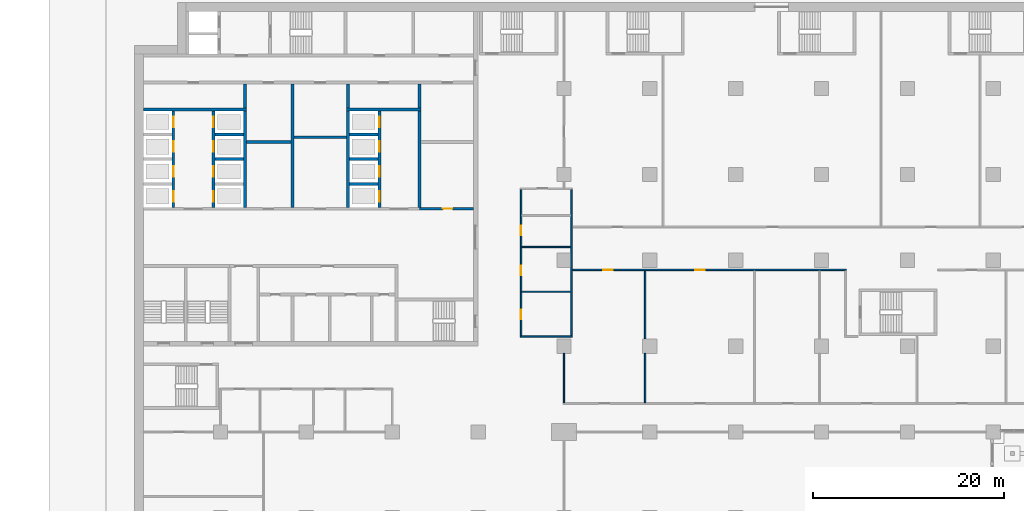
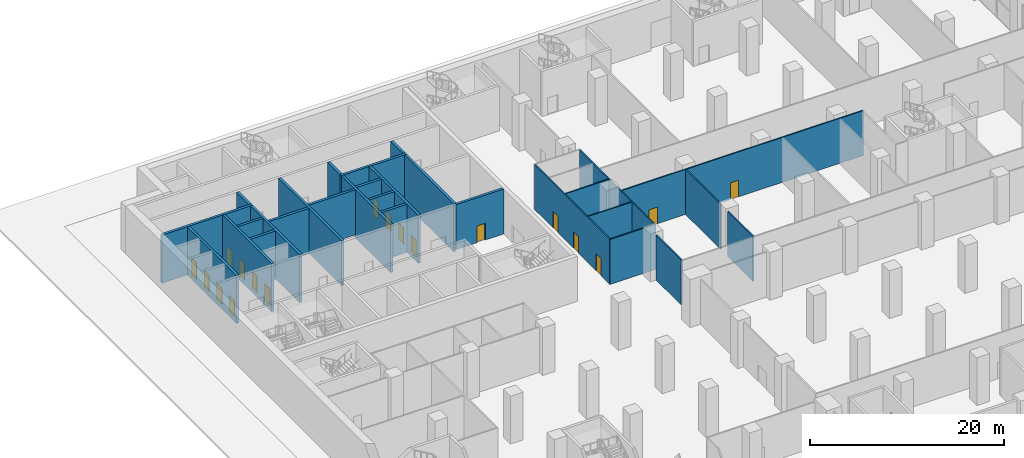
# One storey, part 19 of 47: 29 walls, 18 doors, 18 openings.
"""IFC4 building model written with IfcOpenShell, lengths in metres."""

from ifc_helpers import new_model, si_unit, direction, frame, frame_2d, origin, place, context, subcontext, project, spatial, rectangle, extrude, material, layer, layer_set, type_object, element, fill, save


model = new_model("IFC4")

# Units and contexts
model_context = context("Model", 3, precision=1e-05, world=origin(), true_north=direction((0.0, 1.0)))
body_context = subcontext(model_context, "Body", "Model", "MODEL_VIEW")
ifc_project = project(units=[si_unit("LENGTHUNIT", "METRE"), si_unit("AREAUNIT", "SQUARE_METRE"), si_unit("VOLUMEUNIT", "CUBIC_METRE"), si_unit("PLANEANGLEUNIT", "RADIAN"), si_unit("MASSUNIT", "GRAM", prefix="KILO")], contexts=[model_context])

# Site, building, storey
site_placement = place(None, origin())
site = spatial("IfcSite", under=ifc_project, at=site_placement, CompositionType="ELEMENT")
building_placement = place(site_placement, origin())
building = spatial("IfcBuilding", under=site, at=building_placement, Name="Hunhe Ridgeline Campus", CompositionType="ELEMENT")
storey_placement = place(building_placement, origin())
storey = spatial("IfcBuildingStorey", under=building, at=storey_placement, Name="L00", CompositionType="ELEMENT", Elevation=0.0)

# Walls
ifc_material_1 = material(Name="Plastered blockwork", Category="masonry")
ifc_layer_1 = layer(ifc_material_1, 0.14990234375)
ifc_layer_set_1 = layer_set([ifc_layer_1], Name="Blockwork partition 150")
wall_type_1 = type_object("IfcWallType", Name="Blockwork partition 150", PredefinedType="PARTITIONING", material=ifc_layer_set_1)
wall_1_placement = place(storey_placement, frame((45.0, 57.074951171875, 0.0), z_axis=(0.0, 0.0, 1.0), x_axis=(0.0, 1.0, 0.0)))
element("IfcWall", 1, at=wall_1_placement, inside=storey, type_object=wall_type_1, Name="L00 partition", PredefinedType="PARTITIONING", context=body_context, shape_type="SweptSolid", body=[
    extrude(rectangle(XDim=5.175048828125, YDim=0.14990234375, at=frame_2d((2.58740234375, 0.0))), origin(), (0.0, 0.0, 1.0), 5.64990234375),
])
wall_2_placement = place(storey_placement, frame((40.574951171875, 68.697021484375, 0.0), z_axis=(0.0, 0.0, 1.0), x_axis=(1.0, 0.0, 0.0)))
element("IfcWall", 2, at=wall_2_placement, inside=storey, type_object=wall_type_1, Name="L00 partition", PredefinedType="PARTITIONING", context=body_context, shape_type="SweptSolid", body=[
    extrude(rectangle(XDim=5.150146484375, YDim=0.14990234375, at=frame_2d((2.5751953125, 0.0))), origin(), (0.0, 0.0, 1.0), 5.64990234375),
])
wall_3_placement = place(storey_placement, frame((45.875, 64.0, 0.0), z_axis=(0.0, 0.0, 1.0), x_axis=(-1.0, 0.0, 0.0)))
element("IfcWall", 3, at=wall_3_placement, inside=storey, type_object=wall_type_1, Name="L00 partition", PredefinedType="PARTITIONING", context=body_context, shape_type="SweptSolid", body=[
    extrude(rectangle(XDim=5.449951171875, YDim=0.14990234375, at=frame_2d((2.72509765625, 0.0))), origin(), (0.0, 0.0, 1.0), 5.64990234375),
])
wall_4_placement = place(storey_placement, frame((45.800048828125, 79.425048828125, 0.0), z_axis=(0.0, 0.0, 1.0), x_axis=(0.0, -1.0, 0.0)))
element("IfcWall", 4, at=wall_4_placement, inside=storey, type_object=wall_type_1, Name="L00 partition", PredefinedType="PARTITIONING", context=body_context, shape_type="SweptSolid", body=[
    extrude(rectangle(XDim=15.35009765625, YDim=0.14990234375, at=frame_2d((7.675048828125, 0.0))), origin(), (0.0, 0.0, 1.0), 5.64990234375),
])

# Wall, openings, doors
wall_5_placement = place(storey_placement, frame((40.5, 64.074951171875, 0.0), z_axis=(0.0, 0.0, 1.0), x_axis=(0.0, 1.0, 0.0)))
wall_5 = element("IfcWall", 5, at=wall_5_placement, inside=storey, type_object=wall_type_1, Name="L00 partition", PredefinedType="PARTITIONING", context=body_context, shape_type="SweptSolid", body=[
    extrude(rectangle(XDim=15.35009765625, YDim=0.14990234375, at=frame_2d((7.675048828125, 0.0))), origin(), (0.0, 0.0, 1.0), 5.64990234375),
])
opening_1_placement = place(wall_5_placement, frame((1.75, 0.0, 0.0)))
opening_1 = element("IfcOpeningElement", 6, at=opening_1_placement, cuts=wall_5, Name="Opening PD153", PredefinedType="OPENING", context=body_context, shape_type="SweptSolid", body=[
    extrude(rectangle(XDim=1.0, YDim=2.10009765625, at=frame_2d((0.5, 1.050048828125))), frame((0.0, 0.074951171875, 0.0), z_axis=(0.0, -1.0, 0.0), x_axis=(1.0, 0.0, 0.0)), (0.0, 0.0, 1.0), 0.14990234375),
])
opening_2_placement = place(wall_5_placement, frame((6.3720703125, 0.0, 0.0)))
opening_2 = element("IfcOpeningElement", 7, at=opening_2_placement, cuts=wall_5, Name="Opening PD154", PredefinedType="OPENING", context=body_context, shape_type="SweptSolid", body=[
    extrude(rectangle(XDim=1.0, YDim=2.10009765625, at=frame_2d((0.5, 1.050048828125))), frame((0.0, 0.074951171875, 0.0), z_axis=(0.0, -1.0, 0.0), x_axis=(1.0, 0.0, 0.0)), (0.0, 0.0, 1.0), 0.14990234375),
])
opening_3_placement = place(wall_5_placement, frame((10.569091796875, 0.0, 0.0)))
opening_3 = element("IfcOpeningElement", 8, at=opening_3_placement, cuts=wall_5, Name="Opening PD155", PredefinedType="OPENING", context=body_context, shape_type="SweptSolid", body=[
    extrude(rectangle(XDim=1.0, YDim=2.10009765625, at=frame_2d((0.5, 1.050048828125))), frame((0.0, 0.074951171875, 0.0), z_axis=(0.0, -1.0, 0.0), x_axis=(1.0, 0.0, 0.0)), (0.0, 0.0, 1.0), 0.14990234375),
])
ifc_material_2 = material(Name="Timber", Category="wood")
door_type_1 = type_object("IfcDoorType", Name="Podium accessible WC door 1000x2100", OperationType="NOTDEFINED", PredefinedType="DOOR", material=ifc_material_2)
door_1_placement = place(opening_3_placement, origin())
door_1 = element("IfcDoor", 9, at=door_1_placement, inside=storey, type_object=door_type_1, Name="Accessible WC door", OperationType="SINGLE_SWING_RIGHT", OverallHeight=2.10009765625, OverallWidth=1.0, PredefinedType="DOOR", context=body_context, shape_type="SweptSolid", body=[
    extrude(rectangle(XDim=1.0, YDim=2.10009765625, at=frame_2d((0.5, 1.050048828125))), frame((0.0, 0.02490234375, 0.0), z_axis=(0.0, -1.0, 0.0), x_axis=(1.0, 0.0, 0.0)), (0.0, 0.0, 1.0), 0.050048828125),
])
fill(opening_3, door_1)
door_type_2 = type_object("IfcDoorType", Name="Podium timber door 1000x2100", OperationType="NOTDEFINED", PredefinedType="DOOR", material=ifc_material_2)
door_2_placement = place(opening_1_placement, origin())
door_2 = element("IfcDoor", 10, at=door_2_placement, inside=storey, type_object=door_type_2, Name="Men WC door", OperationType="SINGLE_SWING_LEFT", OverallHeight=2.10009765625, OverallWidth=1.0, PredefinedType="DOOR", context=body_context, shape_type="SweptSolid", body=[
    extrude(rectangle(XDim=1.0, YDim=2.10009765625, at=frame_2d((0.5, 1.050048828125))), frame((0.0, 0.02490234375, 0.0), z_axis=(0.0, -1.0, 0.0), x_axis=(1.0, 0.0, 0.0)), (0.0, 0.0, 1.0), 0.050048828125),
])
fill(opening_1, door_2)
door_3_placement = place(opening_2_placement, origin())
door_3 = element("IfcDoor", 11, at=door_3_placement, inside=storey, type_object=door_type_2, Name="Women WC door", OperationType="SINGLE_SWING_LEFT", OverallHeight=2.10009765625, OverallWidth=1.0, PredefinedType="DOOR", context=body_context, shape_type="SweptSolid", body=[
    extrude(rectangle(XDim=1.0, YDim=2.10009765625, at=frame_2d((0.5, 1.050048828125))), frame((0.0, 0.02490234375, 0.0), z_axis=(0.0, -1.0, 0.0), x_axis=(1.0, 0.0, 0.0)), (0.0, 0.0, 1.0), 0.050048828125),
])
fill(opening_2, door_3)

# Walls
wall_6_placement = place(storey_placement, frame((40.574951171875, 73.39404296875, 0.0), z_axis=(0.0, 0.0, 1.0), x_axis=(1.0, 0.0, 0.0)))
element("IfcWall", 12, at=wall_6_placement, inside=storey, type_object=wall_type_1, Name="L00 partition", PredefinedType="PARTITIONING", context=body_context, shape_type="SweptSolid", body=[
    extrude(rectangle(XDim=5.150146484375, YDim=0.14990234375, at=frame_2d((2.5751953125, 0.0))), origin(), (0.0, 0.0, 1.0), 5.64990234375),
])
wall_7_placement = place(storey_placement, frame((53.50390625, 57.074951171875, 0.0), z_axis=(0.0, 0.0, 1.0), x_axis=(0.0, 1.0, 0.0)))
element("IfcWall", 13, at=wall_7_placement, inside=storey, type_object=wall_type_1, Name="L00 partition", PredefinedType="PARTITIONING", context=body_context, shape_type="SweptSolid", body=[
    extrude(rectangle(XDim=5.175048828125, YDim=0.14990234375, at=frame_2d((2.58740234375, 0.0))), origin(), (0.0, 0.0, 1.0), 5.64990234375),
])
wall_8_placement = place(storey_placement, frame((53.50390625, 63.75, 0.0), z_axis=(0.0, 0.0, 1.0), x_axis=(0.0, 1.0, 0.0)))
element("IfcWall", 14, at=wall_8_placement, inside=storey, type_object=wall_type_1, Name="L00 partition", PredefinedType="PARTITIONING", context=body_context, shape_type="SweptSolid", body=[
    extrude(rectangle(XDim=7.175048828125, YDim=0.14990234375, at=frame_2d((3.58740234375, 0.0))), origin(), (0.0, 0.0, 1.0), 5.64990234375),
])

# Wall, openings, doors
wall_9_placement = place(storey_placement, frame((45.875, 71.0, 0.0), z_axis=(0.0, 0.0, 1.0), x_axis=(1.0, 0.0, 0.0)))
wall_9 = element("IfcWall", 15, at=wall_9_placement, inside=storey, type_object=wall_type_1, Name="L00 partition", PredefinedType="PARTITIONING", context=body_context, shape_type="SweptSolid", body=[
    extrude(rectangle(XDim=28.699951171875, YDim=0.14990234375, at=frame_2d((14.35009765625, 0.0))), origin(), (0.0, 0.0, 1.0), 5.64990234375),
])
opening_4_placement = place(wall_9_placement, frame((3.25, 0.0, 0.0)))
opening_4 = element("IfcOpeningElement", 16, at=opening_4_placement, cuts=wall_9, Name="Opening PD158", PredefinedType="OPENING", context=body_context, shape_type="SweptSolid", body=[
    extrude(rectangle(XDim=1.0, YDim=2.10009765625, at=frame_2d((0.5, 1.050048828125))), frame((0.0, 0.074951171875, 0.0), z_axis=(0.0, -1.0, 0.0), x_axis=(1.0, 0.0, 0.0)), (0.0, 0.0, 1.0), 0.14990234375),
])
opening_5_placement = place(wall_9_placement, frame((12.87890625, 0.0, 0.0)))
opening_5 = element("IfcOpeningElement", 17, at=opening_5_placement, cuts=wall_9, Name="Opening PD160", PredefinedType="OPENING", context=body_context, shape_type="SweptSolid", body=[
    extrude(rectangle(XDim=1.0, YDim=2.10009765625, at=frame_2d((0.5, 1.050048828125))), frame((0.0, 0.074951171875, 0.0), z_axis=(0.0, -1.0, 0.0), x_axis=(1.0, 0.0, 0.0)), (0.0, 0.0, 1.0), 0.14990234375),
])
door_4_placement = place(opening_4_placement, origin())
door_4 = element("IfcDoor", 18, at=door_4_placement, inside=storey, type_object=door_type_2, Name="Student Services Desk door", OperationType="SINGLE_SWING_LEFT", OverallHeight=2.10009765625, OverallWidth=1.0, PredefinedType="DOOR", context=body_context, shape_type="SweptSolid", body=[
    extrude(rectangle(XDim=1.0, YDim=2.10009765625, at=frame_2d((0.5, 1.050048828125))), frame((0.0, 0.02490234375, 0.0), z_axis=(0.0, -1.0, 0.0), x_axis=(1.0, 0.0, 0.0)), (0.0, 0.0, 1.0), 0.050048828125),
])
fill(opening_4, door_4)
door_5_placement = place(opening_5_placement, origin())
door_5 = element("IfcDoor", 19, at=door_5_placement, inside=storey, type_object=door_type_2, Name="Admissions Office door", OperationType="SINGLE_SWING_LEFT", OverallHeight=2.10009765625, OverallWidth=1.0, PredefinedType="DOOR", context=body_context, shape_type="SweptSolid", body=[
    extrude(rectangle(XDim=1.0, YDim=2.10009765625, at=frame_2d((0.5, 1.050048828125))), frame((0.0, 0.02490234375, 0.0), z_axis=(0.0, -1.0, 0.0), x_axis=(1.0, 0.0, 0.0)), (0.0, 0.0, 1.0), 0.050048828125),
])
fill(opening_5, door_5)

# Wall, opening, door
ifc_material_3 = material(Name="Masonry concrete blockwork", Category="masonry")
ifc_layer_2 = layer(ifc_material_3, 0.300048828125)
ifc_layer_set_2 = layer_set([ifc_layer_2], Name="Core room partition 300 concrete block")
wall_type_2 = type_object("IfcWallType", Name="Core room partition 300 concrete block", PredefinedType="PARTITIONING", material=ifc_layer_set_2)
wall_10_placement = place(storey_placement, frame((29.85009765625, 77.39990234375, 0.0), z_axis=(0.0, 0.0, 1.0), x_axis=(1.0, 0.0, 0.0)))
wall_10 = element("IfcWall", 20, at=wall_10_placement, inside=storey, type_object=wall_type_2, Name="L00 core partition 15", PredefinedType="PARTITIONING", context=body_context, shape_type="SweptSolid", body=[
    extrude(rectangle(XDim=5.64990234375, YDim=0.300048828125, at=frame_2d((2.824951171875, 0.0))), origin(), (0.0, 0.0, 1.0), 5.64990234375),
])
opening_6_placement = place(wall_10_placement, frame((2.449951171875, 0.0, 0.0)))
opening_6 = element("IfcOpeningElement", 21, at=opening_6_placement, cuts=wall_10, Name="Opening CD32", PredefinedType="OPENING", context=body_context, shape_type="SweptSolid", body=[
    extrude(rectangle(XDim=1.0, YDim=2.10009765625, at=frame_2d((0.5, 1.050048828125))), frame((0.0, 0.14990234375, 0.0), z_axis=(0.0, -1.0, 0.0), x_axis=(1.0, 0.0, 0.0)), (0.0, 0.0, 1.0), 0.300048828125),
])
ifc_material_4 = material(Name="Solid core timber door leaf", Category="wood")
door_type_3 = type_object("IfcDoorType", Name="Timber door 1000x2100", OperationType="SINGLE_SWING_LEFT", PredefinedType="DOOR", material=ifc_material_4)
door_6_placement = place(opening_6_placement, origin())
door_6 = element("IfcDoor", 22, at=door_6_placement, inside=storey, type_object=door_type_3, Name="L00 door ES0", OperationType="SINGLE_SWING_RIGHT", OverallHeight=2.10009765625, OverallWidth=1.0, PredefinedType="DOOR", context=body_context, shape_type="SweptSolid", body=[
    extrude(rectangle(XDim=1.0, YDim=2.10009765625, at=frame_2d((0.5, 1.050048828125))), frame((0.0, 0.02490234375, 0.0), z_axis=(0.0, -1.0, 0.0), x_axis=(1.0, 0.0, 0.0)), (0.0, 0.0, 1.0), 0.050048828125),
])
fill(opening_6, door_6)

# Walls
wall_11_placement = place(storey_placement, frame((11.699951171875, 84.39990234375, 0.0), z_axis=(0.0, 0.0, 1.0), x_axis=(1.0, 0.0, 0.0)))
element("IfcWall", 23, at=wall_11_placement, inside=storey, type_object=wall_type_2, Name="L00 core partition 22", PredefinedType="PARTITIONING", context=body_context, shape_type="SweptSolid", body=[
    extrude(rectangle(XDim=4.699951171875, YDim=0.300048828125, at=frame_2d((2.35009765625, 0.0))), origin(), (0.0, 0.0, 1.0), 5.64990234375),
])
wall_12_placement = place(storey_placement, frame((16.699951171875, 84.89990234375, 0.0), z_axis=(0.0, 0.0, 1.0), x_axis=(1.0, 0.0, 0.0)))
element("IfcWall", 24, at=wall_12_placement, inside=storey, type_object=wall_type_2, Name="L00 core partition 24", PredefinedType="PARTITIONING", context=body_context, shape_type="SweptSolid", body=[
    extrude(rectangle(XDim=5.5, YDim=0.300048828125, at=frame_2d((2.75, 0.0))), origin(), (0.0, 0.0, 1.0), 5.64990234375),
])
wall_13_placement = place(storey_placement, frame((11.550048828125, 87.949951171875, 0.0), z_axis=(0.0, 0.0, 1.0), x_axis=(0.0, 1.0, 0.0)))
element("IfcWall", 25, at=wall_13_placement, inside=storey, type_object=wall_type_2, Name="L00 core partition 46", PredefinedType="PARTITIONING", context=body_context, shape_type="SweptSolid", body=[
    extrude(rectangle(XDim=2.550048828125, YDim=0.300048828125, at=frame_2d((1.27490234375, 0.0))), origin(), (0.0, 0.0, 1.0), 5.64990234375),
])
wall_14_placement = place(storey_placement, frame((16.550048828125, 77.550048828125, 0.0), z_axis=(0.0, 0.0, 1.0), x_axis=(0.0, 1.0, 0.0)))
element("IfcWall", 26, at=wall_14_placement, inside=storey, type_object=wall_type_2, Name="L00 core partition 50", PredefinedType="PARTITIONING", context=body_context, shape_type="SweptSolid", body=[
    extrude(rectangle(XDim=12.949951171875, YDim=0.300048828125, at=frame_2d((6.47509765625, 0.0))), origin(), (0.0, 0.0, 1.0), 5.64990234375),
])
for number, where, z_axis, x_axis, name in (
    (27, (22.35009765625, 87.949951171875, 0.0), (0.0, 0.0, 1.0), (0.0, 1.0, 0.0), "L00 core partition 55"),
    (28, (29.85009765625, 87.949951171875, 0.0), (0.0, 0.0, 1.0), (0.0, 1.0, 0.0), "L00 core partition 63"),
):
    element("IfcWall", number, at=place(storey_placement, frame(where, z_axis=z_axis, x_axis=x_axis)), inside=storey, type_object=wall_type_2, Name=name, PredefinedType="PARTITIONING", context=body_context, shape_type="SweptSolid", body=[
        extrude(rectangle(XDim=2.550048828125, YDim=0.300048828125, at=frame_2d((1.27490234375, 0.0))), origin(), (0.0, 0.0, 1.0), 5.64990234375),
    ])
ifc_material_5 = material(Name="Concrete C80", Category="concrete")
ifc_layer_3 = layer(ifc_material_5, 0.300048828125)
ifc_layer_set_3 = layer_set([ifc_layer_3], Name="Lobby wall 300 reinforced concrete C80")
wall_type_3 = type_object("IfcWallType", Name="Lobby wall 300 reinforced concrete C80", PredefinedType="SOLIDWALL", material=ifc_layer_set_3)
wall_15_placement = place(storey_placement, frame((29.85009765625, 77.550048828125, -0.39990234375), z_axis=(0.0, 0.0, 1.0), x_axis=(0.0, 1.0, 0.0)))
element("IfcWall", 29, at=wall_15_placement, inside=storey, type_object=wall_type_3, Name="L00 core wall 62", PredefinedType="SOLIDWALL", context=body_context, shape_type="SweptSolid", body=[
    extrude(rectangle(XDim=10.099853515625, YDim=0.300048828125, at=frame_2d((5.0498046875, 0.0))), origin(), (0.0, 0.0, 1.0), 6.0498046875),
])
ifc_layer_4 = layer(ifc_material_5, 0.300048828125)
ifc_layer_set_4 = layer_set([ifc_layer_4], Name="Shaft wall 300 reinforced concrete C80")
wall_type_4 = type_object("IfcWallType", Name="Shaft wall 300 reinforced concrete C80", PredefinedType="SOLIDWALL", material=ifc_layer_set_4)
for number, where, z_axis, x_axis, name in (
    (30, (22.5, 80.0, -0.39990234375), (0.0, 0.0, 1.0), (1.0, 0.0, 0.0), "L00 core wall 18"),
    (31, (8.39990234375, 82.60009765625, -0.39990234375), (0.0, 0.0, 1.0), (1.0, 0.0, 0.0), "L00 core wall 20"),
    (32, (22.5, 82.60009765625, -0.39990234375), (0.0, 0.0, 1.0), (1.0, 0.0, 0.0), "L00 core wall 21"),
    (33, (8.39990234375, 85.199951171875, -0.39990234375), (0.0, 0.0, 1.0), (1.0, 0.0, 0.0), "L00 core wall 26"),
    (34, (22.5, 85.199951171875, -0.39990234375), (0.0, 0.0, 1.0), (1.0, 0.0, 0.0), "L00 core wall 27"),
):
    element("IfcWall", number, at=place(storey_placement, frame(where, z_axis=z_axis, x_axis=x_axis)), inside=storey, type_object=wall_type_4, Name=name, PredefinedType="SOLIDWALL", context=body_context, shape_type="SweptSolid", body=[
        extrude(rectangle(XDim=3.0, YDim=0.300048828125, at=frame_2d((1.5, 0.0))), origin(), (0.0, 0.0, 1.0), 6.0498046875),
    ])
wall_16_placement = place(storey_placement, frame((0.89990234375, 87.800048828125, -0.39990234375), z_axis=(0.0, 0.0, 1.0), x_axis=(1.0, 0.0, 0.0)))
element("IfcWall", 35, at=wall_16_placement, inside=storey, type_object=wall_type_4, Name="L00 core wall 28", PredefinedType="SOLIDWALL", context=body_context, shape_type="SweptSolid", body=[
    extrude(rectangle(XDim=10.800048828125, YDim=0.300048828125, at=frame_2d((5.39990234375, 0.0))), origin(), (0.0, 0.0, 1.0), 6.0498046875),
])
wall_17_placement = place(storey_placement, frame((22.199951171875, 87.800048828125, -0.39990234375), z_axis=(0.0, 0.0, 1.0), x_axis=(1.0, 0.0, 0.0)))
element("IfcWall", 36, at=wall_17_placement, inside=storey, type_object=wall_type_4, Name="L00 core wall 29", PredefinedType="SOLIDWALL", context=body_context, shape_type="SweptSolid", body=[
    extrude(rectangle(XDim=7.800048828125, YDim=0.300048828125, at=frame_2d((3.89990234375, 0.0))), origin(), (0.0, 0.0, 1.0), 6.0498046875),
])

# Wall, openings, doors
wall_18_placement = place(storey_placement, frame((4.050048828125, 77.550048828125, -0.39990234375), z_axis=(0.0, 0.0, 1.0), x_axis=(0.0, 1.0, 0.0)))
wall_18 = element("IfcWall", 37, at=wall_18_placement, inside=storey, type_object=wall_type_4, Name="L00 core wall 37", PredefinedType="SOLIDWALL", context=body_context, shape_type="SweptSolid", body=[
    extrude(rectangle(XDim=10.099853515625, YDim=0.300048828125, at=frame_2d((5.0498046875, 0.0))), origin(), (0.0, 0.0, 1.0), 6.0498046875),
])
opening_7_placement = place(wall_18_placement, frame((0.60009765625, 0.0, 0.39990234375)))
opening_7 = element("IfcOpeningElement", 38, at=opening_7_placement, cuts=wall_18, Name="Opening LD-LR1", PredefinedType="OPENING", context=body_context, shape_type="SweptSolid", body=[
    extrude(rectangle(XDim=1.10009765625, YDim=2.10009765625, at=frame_2d((0.550048828125, 1.050048828125))), frame((0.0, 0.14990234375, 0.0), z_axis=(0.0, -1.0, 0.0), x_axis=(1.0, 0.0, 0.0)), (0.0, 0.0, 1.0), 0.300048828125),
])
opening_8_placement = place(wall_18_placement, frame((3.199951171875, 0.0, 0.39990234375)))
opening_8 = element("IfcOpeningElement", 39, at=opening_8_placement, cuts=wall_18, Name="Opening LD-LR2", PredefinedType="OPENING", context=body_context, shape_type="SweptSolid", body=[
    extrude(rectangle(XDim=1.10009765625, YDim=2.10009765625, at=frame_2d((0.550048828125, 1.050048828125))), frame((0.0, 0.14990234375, 0.0), z_axis=(0.0, -1.0, 0.0), x_axis=(1.0, 0.0, 0.0)), (0.0, 0.0, 1.0), 0.300048828125),
])
opening_9_placement = place(wall_18_placement, frame((5.800048828125, 0.0, 0.39990234375)))
opening_9 = element("IfcOpeningElement", 40, at=opening_9_placement, cuts=wall_18, Name="Opening LD-LR3", PredefinedType="OPENING", context=body_context, shape_type="SweptSolid", body=[
    extrude(rectangle(XDim=1.10009765625, YDim=2.10009765625, at=frame_2d((0.550048828125, 1.050048828125))), frame((0.0, 0.14990234375, 0.0), z_axis=(0.0, -1.0, 0.0), x_axis=(1.0, 0.0, 0.0)), (0.0, 0.0, 1.0), 0.300048828125),
])
opening_10_placement = place(wall_18_placement, frame((8.39990234375, 0.0, 0.39990234375)))
opening_10 = element("IfcOpeningElement", 41, at=opening_10_placement, cuts=wall_18, Name="Opening LD-LR4", PredefinedType="OPENING", context=body_context, shape_type="SweptSolid", body=[
    extrude(rectangle(XDim=1.10009765625, YDim=2.10009765625, at=frame_2d((0.550048828125, 1.050048828125))), frame((0.0, 0.14990234375, 0.0), z_axis=(0.0, -1.0, 0.0), x_axis=(1.0, 0.0, 0.0)), (0.0, 0.0, 1.0), 0.300048828125),
])
ifc_material_6 = material(Name="Stainless steel sliding leaves", Category="steel")
door_type_4 = type_object("IfcDoorType", Name="Landing door 1100x2100 FD120", OperationType="SLIDING_TO_LEFT", PredefinedType="DOOR", material=ifc_material_6)
door_7_placement = place(opening_7_placement, origin())
door_7 = element("IfcDoor", 42, at=door_7_placement, inside=storey, type_object=door_type_4, Name="L00 landing door LR1", OperationType="SLIDING_TO_RIGHT", OverallHeight=2.10009765625, OverallWidth=1.10009765625, PredefinedType="DOOR", context=body_context, shape_type="SweptSolid", body=[
    extrude(rectangle(XDim=1.10009765625, YDim=2.10009765625, at=frame_2d((0.550048828125, 1.050048828125))), frame((0.0, 0.02490234375, 0.0), z_axis=(0.0, -1.0, 0.0), x_axis=(1.0, 0.0, 0.0)), (0.0, 0.0, 1.0), 0.050048828125),
])
fill(opening_7, door_7)
door_8_placement = place(opening_8_placement, origin())
door_8 = element("IfcDoor", 43, at=door_8_placement, inside=storey, type_object=door_type_4, Name="L00 landing door LR2", OperationType="SLIDING_TO_LEFT", OverallHeight=2.10009765625, OverallWidth=1.10009765625, PredefinedType="DOOR", context=body_context, shape_type="SweptSolid", body=[
    extrude(rectangle(XDim=1.10009765625, YDim=2.10009765625, at=frame_2d((0.550048828125, 1.050048828125))), frame((0.0, 0.02490234375, 0.0), z_axis=(0.0, -1.0, 0.0), x_axis=(1.0, 0.0, 0.0)), (0.0, 0.0, 1.0), 0.050048828125),
])
fill(opening_8, door_8)
door_9_placement = place(opening_9_placement, origin())
door_9 = element("IfcDoor", 44, at=door_9_placement, inside=storey, type_object=door_type_4, Name="L00 landing door LR3", OperationType="SLIDING_TO_RIGHT", OverallHeight=2.10009765625, OverallWidth=1.10009765625, PredefinedType="DOOR", context=body_context, shape_type="SweptSolid", body=[
    extrude(rectangle(XDim=1.10009765625, YDim=2.10009765625, at=frame_2d((0.550048828125, 1.050048828125))), frame((0.0, 0.02490234375, 0.0), z_axis=(0.0, -1.0, 0.0), x_axis=(1.0, 0.0, 0.0)), (0.0, 0.0, 1.0), 0.050048828125),
])
fill(opening_9, door_9)
door_10_placement = place(opening_10_placement, origin())
door_10 = element("IfcDoor", 45, at=door_10_placement, inside=storey, type_object=door_type_4, Name="L00 landing door LR4", OperationType="SLIDING_TO_LEFT", OverallHeight=2.10009765625, OverallWidth=1.10009765625, PredefinedType="DOOR", context=body_context, shape_type="SweptSolid", body=[
    extrude(rectangle(XDim=1.10009765625, YDim=2.10009765625, at=frame_2d((0.550048828125, 1.050048828125))), frame((0.0, 0.02490234375, 0.0), z_axis=(0.0, -1.0, 0.0), x_axis=(1.0, 0.0, 0.0)), (0.0, 0.0, 1.0), 0.050048828125),
])
fill(opening_10, door_10)

wall_19_placement = place(storey_placement, frame((8.25, 77.550048828125, -0.39990234375), z_axis=(0.0, 0.0, 1.0), x_axis=(0.0, 1.0, 0.0)))
wall_19 = element("IfcWall", 46, at=wall_19_placement, inside=storey, type_object=wall_type_4, Name="L00 core wall 40", PredefinedType="SOLIDWALL", context=body_context, shape_type="SweptSolid", body=[
    extrude(rectangle(XDim=10.099853515625, YDim=0.300048828125, at=frame_2d((5.0498046875, 0.0))), origin(), (0.0, 0.0, 1.0), 6.0498046875),
])
opening_11_placement = place(wall_19_placement, frame((0.60009765625, 0.0, 0.39990234375)))
opening_11 = element("IfcOpeningElement", 47, at=opening_11_placement, cuts=wall_19, Name="Opening LD-LR5", PredefinedType="OPENING", context=body_context, shape_type="SweptSolid", body=[
    extrude(rectangle(XDim=1.10009765625, YDim=2.10009765625, at=frame_2d((0.550048828125, 1.050048828125))), frame((0.0, 0.14990234375, 0.0), z_axis=(0.0, -1.0, 0.0), x_axis=(1.0, 0.0, 0.0)), (0.0, 0.0, 1.0), 0.300048828125),
])
opening_12_placement = place(wall_19_placement, frame((3.199951171875, 0.0, 0.39990234375)))
opening_12 = element("IfcOpeningElement", 48, at=opening_12_placement, cuts=wall_19, Name="Opening LD-LR6", PredefinedType="OPENING", context=body_context, shape_type="SweptSolid", body=[
    extrude(rectangle(XDim=1.10009765625, YDim=2.10009765625, at=frame_2d((0.550048828125, 1.050048828125))), frame((0.0, 0.14990234375, 0.0), z_axis=(0.0, -1.0, 0.0), x_axis=(1.0, 0.0, 0.0)), (0.0, 0.0, 1.0), 0.300048828125),
])
opening_13_placement = place(wall_19_placement, frame((5.800048828125, 0.0, 0.39990234375)))
opening_13 = element("IfcOpeningElement", 49, at=opening_13_placement, cuts=wall_19, Name="Opening LD-LR7", PredefinedType="OPENING", context=body_context, shape_type="SweptSolid", body=[
    extrude(rectangle(XDim=1.10009765625, YDim=2.10009765625, at=frame_2d((0.550048828125, 1.050048828125))), frame((0.0, 0.14990234375, 0.0), z_axis=(0.0, -1.0, 0.0), x_axis=(1.0, 0.0, 0.0)), (0.0, 0.0, 1.0), 0.300048828125),
])
opening_14_placement = place(wall_19_placement, frame((8.39990234375, 0.0, 0.39990234375)))
opening_14 = element("IfcOpeningElement", 50, at=opening_14_placement, cuts=wall_19, Name="Opening LD-LR8", PredefinedType="OPENING", context=body_context, shape_type="SweptSolid", body=[
    extrude(rectangle(XDim=1.10009765625, YDim=2.10009765625, at=frame_2d((0.550048828125, 1.050048828125))), frame((0.0, 0.14990234375, 0.0), z_axis=(0.0, -1.0, 0.0), x_axis=(1.0, 0.0, 0.0)), (0.0, 0.0, 1.0), 0.300048828125),
])
door_11_placement = place(opening_11_placement, origin())
door_11 = element("IfcDoor", 51, at=door_11_placement, inside=storey, type_object=door_type_4, Name="L00 landing door LR5", OperationType="SLIDING_TO_RIGHT", OverallHeight=2.10009765625, OverallWidth=1.10009765625, PredefinedType="DOOR", context=body_context, shape_type="SweptSolid", body=[
    extrude(rectangle(XDim=1.10009765625, YDim=2.10009765625, at=frame_2d((0.550048828125, 1.050048828125))), frame((0.0, 0.02490234375, 0.0), z_axis=(0.0, -1.0, 0.0), x_axis=(1.0, 0.0, 0.0)), (0.0, 0.0, 1.0), 0.050048828125),
])
fill(opening_11, door_11)
door_12_placement = place(opening_12_placement, origin())
door_12 = element("IfcDoor", 52, at=door_12_placement, inside=storey, type_object=door_type_4, Name="L00 landing door LR6", OperationType="SLIDING_TO_LEFT", OverallHeight=2.10009765625, OverallWidth=1.10009765625, PredefinedType="DOOR", context=body_context, shape_type="SweptSolid", body=[
    extrude(rectangle(XDim=1.10009765625, YDim=2.10009765625, at=frame_2d((0.550048828125, 1.050048828125))), frame((0.0, 0.02490234375, 0.0), z_axis=(0.0, -1.0, 0.0), x_axis=(1.0, 0.0, 0.0)), (0.0, 0.0, 1.0), 0.050048828125),
])
fill(opening_12, door_12)
door_13_placement = place(opening_13_placement, origin())
door_13 = element("IfcDoor", 53, at=door_13_placement, inside=storey, type_object=door_type_4, Name="L00 landing door LR7", OperationType="SLIDING_TO_RIGHT", OverallHeight=2.10009765625, OverallWidth=1.10009765625, PredefinedType="DOOR", context=body_context, shape_type="SweptSolid", body=[
    extrude(rectangle(XDim=1.10009765625, YDim=2.10009765625, at=frame_2d((0.550048828125, 1.050048828125))), frame((0.0, 0.02490234375, 0.0), z_axis=(0.0, -1.0, 0.0), x_axis=(1.0, 0.0, 0.0)), (0.0, 0.0, 1.0), 0.050048828125),
])
fill(opening_13, door_13)
door_14_placement = place(opening_14_placement, origin())
door_14 = element("IfcDoor", 54, at=door_14_placement, inside=storey, type_object=door_type_4, Name="L00 landing door LR8", OperationType="SLIDING_TO_LEFT", OverallHeight=2.10009765625, OverallWidth=1.10009765625, PredefinedType="DOOR", context=body_context, shape_type="SweptSolid", body=[
    extrude(rectangle(XDim=1.10009765625, YDim=2.10009765625, at=frame_2d((0.550048828125, 1.050048828125))), frame((0.0, 0.02490234375, 0.0), z_axis=(0.0, -1.0, 0.0), x_axis=(1.0, 0.0, 0.0)), (0.0, 0.0, 1.0), 0.050048828125),
])
fill(opening_14, door_14)

# Walls
for number, where, z_axis, x_axis, name in (
    (55, (11.550048828125, 77.550048828125, -0.39990234375), (0.0, 0.0, 1.0), (0.0, 1.0, 0.0), "L00 core wall 45"),
    (56, (22.35009765625, 77.550048828125, -0.39990234375), (0.0, 0.0, 1.0), (0.0, 1.0, 0.0), "L00 core wall 54"),
):
    element("IfcWall", number, at=place(storey_placement, frame(where, z_axis=z_axis, x_axis=x_axis)), inside=storey, type_object=wall_type_4, Name=name, PredefinedType="SOLIDWALL", context=body_context, shape_type="SweptSolid", body=[
        extrude(rectangle(XDim=10.099853515625, YDim=0.300048828125, at=frame_2d((5.0498046875, 0.0))), origin(), (0.0, 0.0, 1.0), 6.0498046875),
    ])

# Wall, openings, doors
wall_20_placement = place(storey_placement, frame((25.64990234375, 77.550048828125, -0.39990234375), z_axis=(0.0, 0.0, 1.0), x_axis=(0.0, 1.0, 0.0)))
wall_20 = element("IfcWall", 57, at=wall_20_placement, inside=storey, type_object=wall_type_4, Name="L00 core wall 58", PredefinedType="SOLIDWALL", context=body_context, shape_type="SweptSolid", body=[
    extrude(rectangle(XDim=10.099853515625, YDim=0.300048828125, at=frame_2d((5.0498046875, 0.0))), origin(), (0.0, 0.0, 1.0), 6.0498046875),
])
opening_15_placement = place(wall_20_placement, frame((0.60009765625, 0.0, 0.39990234375)))
opening_15 = element("IfcOpeningElement", 58, at=opening_15_placement, cuts=wall_20, Name="Opening LD-SH1", PredefinedType="OPENING", context=body_context, shape_type="SweptSolid", body=[
    extrude(rectangle(XDim=1.10009765625, YDim=2.10009765625, at=frame_2d((0.550048828125, 1.050048828125))), frame((0.0, 0.14990234375, 0.0), z_axis=(0.0, -1.0, 0.0), x_axis=(1.0, 0.0, 0.0)), (0.0, 0.0, 1.0), 0.300048828125),
])
opening_16_placement = place(wall_20_placement, frame((3.199951171875, 0.0, 0.39990234375)))
opening_16 = element("IfcOpeningElement", 59, at=opening_16_placement, cuts=wall_20, Name="Opening LD-SH2", PredefinedType="OPENING", context=body_context, shape_type="SweptSolid", body=[
    extrude(rectangle(XDim=1.10009765625, YDim=2.10009765625, at=frame_2d((0.550048828125, 1.050048828125))), frame((0.0, 0.14990234375, 0.0), z_axis=(0.0, -1.0, 0.0), x_axis=(1.0, 0.0, 0.0)), (0.0, 0.0, 1.0), 0.300048828125),
])
opening_17_placement = place(wall_20_placement, frame((5.800048828125, 0.0, 0.39990234375)))
opening_17 = element("IfcOpeningElement", 60, at=opening_17_placement, cuts=wall_20, Name="Opening LD-SH3", PredefinedType="OPENING", context=body_context, shape_type="SweptSolid", body=[
    extrude(rectangle(XDim=1.10009765625, YDim=2.10009765625, at=frame_2d((0.550048828125, 1.050048828125))), frame((0.0, 0.14990234375, 0.0), z_axis=(0.0, -1.0, 0.0), x_axis=(1.0, 0.0, 0.0)), (0.0, 0.0, 1.0), 0.300048828125),
])
opening_18_placement = place(wall_20_placement, frame((8.39990234375, 0.0, 0.39990234375)))
opening_18 = element("IfcOpeningElement", 61, at=opening_18_placement, cuts=wall_20, Name="Opening LD-SH4", PredefinedType="OPENING", context=body_context, shape_type="SweptSolid", body=[
    extrude(rectangle(XDim=1.10009765625, YDim=2.10009765625, at=frame_2d((0.550048828125, 1.050048828125))), frame((0.0, 0.14990234375, 0.0), z_axis=(0.0, -1.0, 0.0), x_axis=(1.0, 0.0, 0.0)), (0.0, 0.0, 1.0), 0.300048828125),
])
door_15_placement = place(opening_15_placement, origin())
door_15 = element("IfcDoor", 62, at=door_15_placement, inside=storey, type_object=door_type_4, Name="L00 landing door SH1", OperationType="SLIDING_TO_RIGHT", OverallHeight=2.10009765625, OverallWidth=1.10009765625, PredefinedType="DOOR", context=body_context, shape_type="SweptSolid", body=[
    extrude(rectangle(XDim=1.10009765625, YDim=2.10009765625, at=frame_2d((0.550048828125, 1.050048828125))), frame((0.0, 0.02490234375, 0.0), z_axis=(0.0, -1.0, 0.0), x_axis=(1.0, 0.0, 0.0)), (0.0, 0.0, 1.0), 0.050048828125),
])
fill(opening_15, door_15)
door_16_placement = place(opening_16_placement, origin())
door_16 = element("IfcDoor", 63, at=door_16_placement, inside=storey, type_object=door_type_4, Name="L00 landing door SH2", OperationType="SLIDING_TO_LEFT", OverallHeight=2.10009765625, OverallWidth=1.10009765625, PredefinedType="DOOR", context=body_context, shape_type="SweptSolid", body=[
    extrude(rectangle(XDim=1.10009765625, YDim=2.10009765625, at=frame_2d((0.550048828125, 1.050048828125))), frame((0.0, 0.02490234375, 0.0), z_axis=(0.0, -1.0, 0.0), x_axis=(1.0, 0.0, 0.0)), (0.0, 0.0, 1.0), 0.050048828125),
])
fill(opening_16, door_16)
door_17_placement = place(opening_17_placement, origin())
door_17 = element("IfcDoor", 64, at=door_17_placement, inside=storey, type_object=door_type_4, Name="L00 landing door SH3", OperationType="SLIDING_TO_RIGHT", OverallHeight=2.10009765625, OverallWidth=1.10009765625, PredefinedType="DOOR", context=body_context, shape_type="SweptSolid", body=[
    extrude(rectangle(XDim=1.10009765625, YDim=2.10009765625, at=frame_2d((0.550048828125, 1.050048828125))), frame((0.0, 0.02490234375, 0.0), z_axis=(0.0, -1.0, 0.0), x_axis=(1.0, 0.0, 0.0)), (0.0, 0.0, 1.0), 0.050048828125),
])
fill(opening_17, door_17)
door_18_placement = place(opening_18_placement, origin())
door_18 = element("IfcDoor", 65, at=door_18_placement, inside=storey, type_object=door_type_4, Name="L00 landing door SH4", OperationType="SLIDING_TO_LEFT", OverallHeight=2.10009765625, OverallWidth=1.10009765625, PredefinedType="DOOR", context=body_context, shape_type="SweptSolid", body=[
    extrude(rectangle(XDim=1.10009765625, YDim=2.10009765625, at=frame_2d((0.550048828125, 1.050048828125))), frame((0.0, 0.02490234375, 0.0), z_axis=(0.0, -1.0, 0.0), x_axis=(1.0, 0.0, 0.0)), (0.0, 0.0, 1.0), 0.050048828125),
])
fill(opening_18, door_18)

save(model, "model.ifc")
